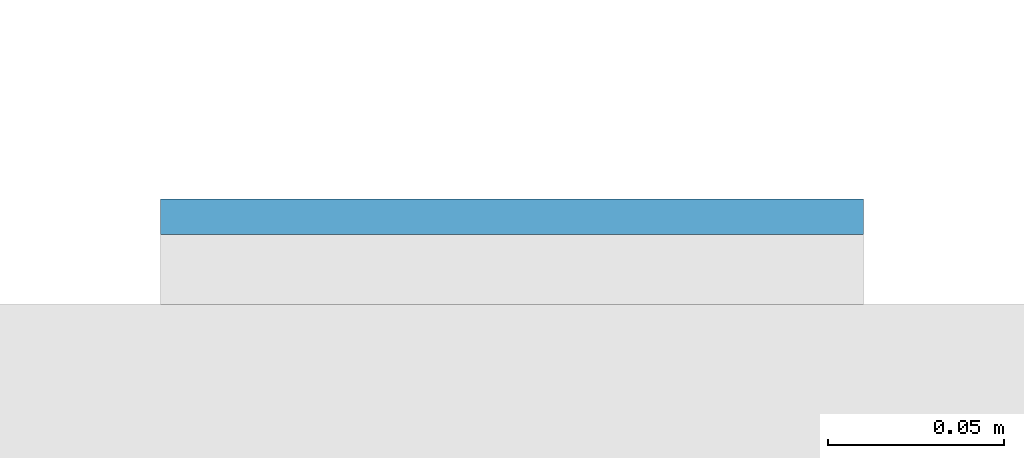
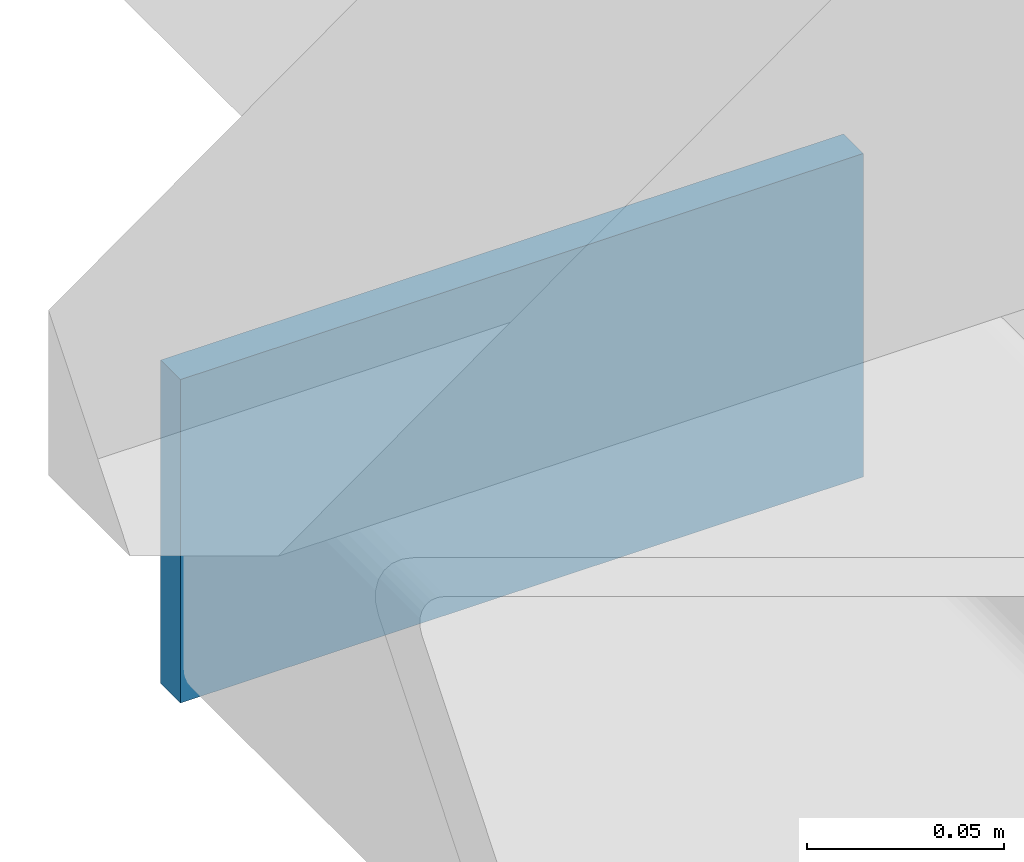
# One storey, part 9 of 20: 1 plate.
"""IFC4 building model written with IfcOpenShell, lengths in metres."""

from ifc_helpers import new_model, si_unit, direction, frame, origin, origin_2d, place, context, subcontext, project, spatial, rectangle, extrude, material, layer, layer_set, type_object, element, save


model = new_model("IFC4")

# Units and contexts
model_context = context("Model", 3, precision=1e-05, world=origin(), true_north=direction((0.0, 1.0)))
body_context = subcontext(model_context, "Body", "Model", "MODEL_VIEW")
ifc_project = project(units=[si_unit("LENGTHUNIT", "METRE"), si_unit("AREAUNIT", "SQUARE_METRE"), si_unit("VOLUMEUNIT", "CUBIC_METRE"), si_unit("PLANEANGLEUNIT", "RADIAN"), si_unit("MASSUNIT", "GRAM", prefix="KILO")], contexts=[model_context])

# Site, building, storey
site_placement = place(None, origin())
site = spatial("IfcSite", under=ifc_project, at=site_placement, CompositionType="ELEMENT")
building_placement = place(site_placement, origin())
building = spatial("IfcBuilding", under=site, at=building_placement, Name="Cleftline Residences", CompositionType="ELEMENT")
storey_placement = place(building_placement, frame((0.0, 0.0, 114.199951171875)))
storey = spatial("IfcBuildingStorey", under=building, at=storey_placement, Name="L29", CompositionType="ELEMENT", Elevation=114.199951171875)

# Plate
ifc_material = material(Name="Steel S355, hot-dip galvanised", Category="steel")
ifc_layer = layer(ifc_material, 0.010009765625)
ifc_layer_set = layer_set([ifc_layer], Name="BAGUETTE CARRIER END PLATE 200X100X10")
plate_type = type_object("IfcPlateType", Name="BAGUETTE CARRIER END PLATE 200X100X10", PredefinedType="USERDEFINED", material=ifc_layer_set)
plate_placement = place(storey_placement, frame((-0.85009765625, 44.304931640625, -0.10009765625), z_axis=(0.0, 0.0, 1.0), x_axis=(-1.0, 0.0, 0.0)))
element("IfcPlate", 1, at=plate_placement, inside=storey, type_object=plate_type, Name="Baguette carrier end plate", ObjectType="BAGUETTE CARRIER END PLATE", PredefinedType="USERDEFINED", context=body_context, shape_type="SweptSolid", body=[
    extrude(rectangle(XDim=0.199951171875, YDim=0.010009765625, at=origin_2d()), origin(), (0.0, 0.0, 1.0), 0.10009765625),
])

save(model, "model.ifc")
